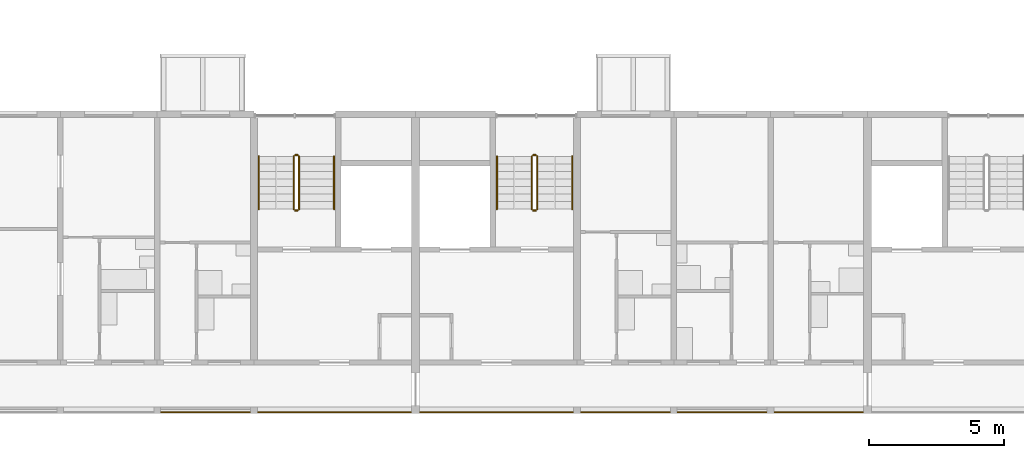
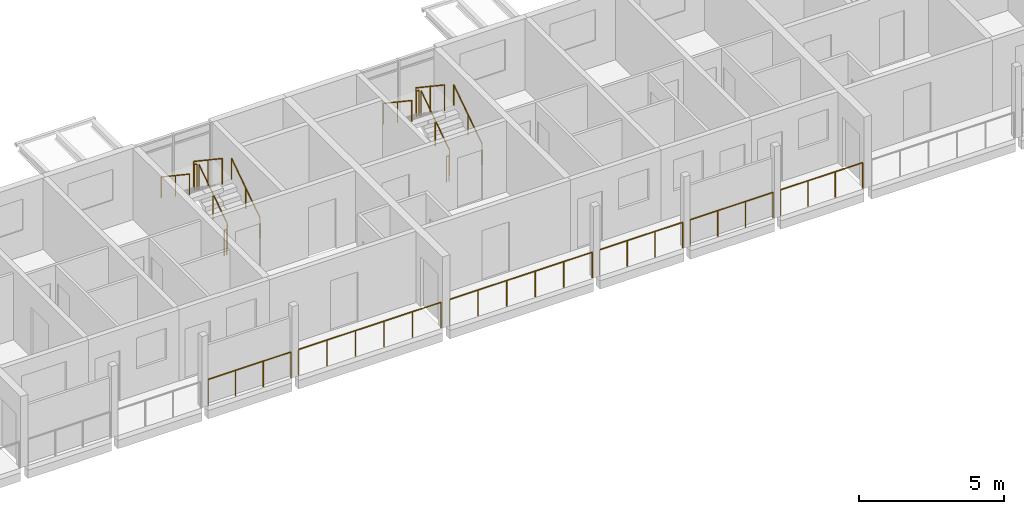
# One storey, part 87 of 94: 18 railings.
"""IFC4 building model written with IfcOpenShell, lengths in metres."""

from ifc_helpers import new_model, si_unit, direction, frame, origin, origin_2d, place, context, subcontext, project, spatial, circle, extrude, material, type_object, element, save


model = new_model("IFC4")

# Units and contexts
model_context = context("Model", 3, precision=1e-05, world=origin(), true_north=direction((0.0, 1.0)))
body_context = subcontext(model_context, "Body", "Model", "MODEL_VIEW")
ifc_project = project(units=[si_unit("LENGTHUNIT", "METRE"), si_unit("AREAUNIT", "SQUARE_METRE"), si_unit("VOLUMEUNIT", "CUBIC_METRE"), si_unit("PLANEANGLEUNIT", "RADIAN"), si_unit("MASSUNIT", "GRAM", prefix="KILO")], contexts=[model_context])

# Site, building, storey
site_placement = place(None, origin())
site = spatial("IfcSite", under=ifc_project, at=site_placement, CompositionType="ELEMENT")
building_placement = place(site_placement, origin())
building = spatial("IfcBuilding", under=site, at=building_placement, Name="Ridgestep Commons", CompositionType="ELEMENT")
storey_placement = place(building_placement, frame((0.0, 0.0, 21.0)))
storey = spatial("IfcBuildingStorey", under=building, at=storey_placement, Name="L07", CompositionType="ELEMENT", Elevation=21.0)

# Railings
ifc_material_1 = material(Name="Structural steel S355JR", Category="steel")
railing_type_1 = type_object("IfcRailingType", Name="Guard 1100", PredefinedType="GUARDRAIL", material=ifc_material_1)
railing_1_placement = place(storey_placement, frame((204.5458984375, 11.800048828125, 0.0)))
element("IfcRailing", 1, at=railing_1_placement, inside=storey, type_object=railing_type_1, Name="Gallery guard D 07.15", PredefinedType="GUARDRAIL", context=body_context, shape_type="SweptSolid", body=[
    extrude(circle(Radius=0.02392578125, at=origin_2d()), frame((0.0, 0.0, 1.076171875), z_axis=(1.0, 0.0, 0.0), x_axis=(0.0, 1.0, 0.0)), (0.0, 0.0, 1.0), 3.30810546875),
    extrude(circle(Radius=0.02099609375, at=origin_2d()), origin(), (0.0, 0.0, 1.0), 1.052001953125),
    extrude(circle(Radius=0.02099609375, at=origin_2d()), frame((1.102783203125, 0.0, 0.0)), (0.0, 0.0, 1.0), 1.052001953125),
    extrude(circle(Radius=0.02099609375, at=origin_2d()), frame((2.205322265625, 0.0, 0.0)), (0.0, 0.0, 1.0), 1.052001953125),
    extrude(circle(Radius=0.02099609375, at=origin_2d()), frame((3.30810546875, 0.0, 0.0)), (0.0, 0.0, 1.0), 1.052001953125),
])
for number, where, name in (
    (2, (208.14599609375, 11.800048828125, 0.0), "Gallery guard D 07.16"),
    (3, (214.1708984375, 11.800048828125, 0.0), "Gallery guard D 07.17"),
):
    element("IfcRailing", number, at=place(storey_placement, frame(where)), inside=storey, type_object=railing_type_1, Name=name, PredefinedType="GUARDRAIL", context=body_context, shape_type="SweptSolid", body=[
        extrude(circle(Radius=0.02392578125, at=origin_2d()), frame((0.0, 0.0, 1.076171875), z_axis=(1.0, 0.0, 0.0), x_axis=(0.0, 1.0, 0.0)), (0.0, 0.0, 1.0), 5.68310546875),
        extrude(circle(Radius=0.02099609375, at=origin_2d()), origin(), (0.0, 0.0, 1.0), 1.052001953125),
        extrude(circle(Radius=0.02099609375, at=origin_2d()), frame((1.13671875, 0.0, 0.0)), (0.0, 0.0, 1.0), 1.052001953125),
        extrude(circle(Radius=0.02099609375, at=origin_2d()), frame((2.273193359375, 0.0, 0.0)), (0.0, 0.0, 1.0), 1.052001953125),
        extrude(circle(Radius=0.02099609375, at=origin_2d()), frame((3.409912109375, 0.0, 0.0)), (0.0, 0.0, 1.0), 1.052001953125),
        extrude(circle(Radius=0.02099609375, at=origin_2d()), frame((4.54638671875, 0.0, 0.0)), (0.0, 0.0, 1.0), 1.052001953125),
        extrude(circle(Radius=0.02099609375, at=origin_2d()), frame((5.68310546875, 0.0, 0.0)), (0.0, 0.0, 1.0), 1.052001953125),
    ])
railing_2_placement = place(storey_placement, frame((220.14599609375, 11.800048828125, 0.0)))
element("IfcRailing", 4, at=railing_2_placement, inside=storey, type_object=railing_type_1, Name="Gallery guard D 07.18", PredefinedType="GUARDRAIL", context=body_context, shape_type="SweptSolid", body=[
    extrude(circle(Radius=0.02392578125, at=origin_2d()), frame((0.0, 0.0, 1.076171875), z_axis=(1.0, 0.0, 0.0), x_axis=(0.0, 1.0, 0.0)), (0.0, 0.0, 1.0), 3.30810546875),
    extrude(circle(Radius=0.02099609375, at=origin_2d()), origin(), (0.0, 0.0, 1.0), 1.052001953125),
    extrude(circle(Radius=0.02099609375, at=origin_2d()), frame((1.102783203125, 0.0, 0.0)), (0.0, 0.0, 1.0), 1.052001953125),
    extrude(circle(Radius=0.02099609375, at=origin_2d()), frame((2.205322265625, 0.0, 0.0)), (0.0, 0.0, 1.0), 1.052001953125),
    extrude(circle(Radius=0.02099609375, at=origin_2d()), frame((3.30810546875, 0.0, 0.0)), (0.0, 0.0, 1.0), 1.052001953125),
])
railing_3_placement = place(storey_placement, frame((223.74609375, 11.800048828125, 0.0)))
element("IfcRailing", 5, at=railing_3_placement, inside=storey, type_object=railing_type_1, Name="Gallery guard D 07.19", PredefinedType="GUARDRAIL", context=body_context, shape_type="SweptSolid", body=[
    extrude(circle(Radius=0.02392578125, at=origin_2d()), frame((0.0, 0.0, 1.076171875), z_axis=(1.0, 0.0, 0.0), x_axis=(0.0, 1.0, 0.0)), (0.0, 0.0, 1.0), 3.307861328125),
    extrude(circle(Radius=0.02099609375, at=origin_2d()), origin(), (0.0, 0.0, 1.0), 1.052001953125),
    extrude(circle(Radius=0.02099609375, at=origin_2d()), frame((1.1025390625, 0.0, 0.0)), (0.0, 0.0, 1.0), 1.052001953125),
    extrude(circle(Radius=0.02099609375, at=origin_2d()), frame((2.205322265625, 0.0, 0.0)), (0.0, 0.0, 1.0), 1.052001953125),
    extrude(circle(Radius=0.02099609375, at=origin_2d()), frame((3.307861328125, 0.0, 0.0)), (0.0, 0.0, 1.0), 1.052001953125),
])
railing_4_placement = place(storey_placement, frame((227.345947265625, 11.800048828125, 0.0)))
element("IfcRailing", 6, at=railing_4_placement, inside=storey, type_object=railing_type_1, Name="Gallery guard D 07.20", PredefinedType="GUARDRAIL", context=body_context, shape_type="SweptSolid", body=[
    extrude(circle(Radius=0.02392578125, at=origin_2d()), frame((0.0, 0.0, 1.076171875), z_axis=(1.0, 0.0, 0.0), x_axis=(0.0, 1.0, 0.0)), (0.0, 0.0, 1.0), 3.282958984375),
    extrude(circle(Radius=0.02099609375, at=origin_2d()), origin(), (0.0, 0.0, 1.0), 1.052001953125),
    extrude(circle(Radius=0.02099609375, at=origin_2d()), frame((1.09423828125, 0.0, 0.0)), (0.0, 0.0, 1.0), 1.052001953125),
    extrude(circle(Radius=0.02099609375, at=origin_2d()), frame((2.188720703125, 0.0, 0.0)), (0.0, 0.0, 1.0), 1.052001953125),
    extrude(circle(Radius=0.02099609375, at=origin_2d()), frame((3.282958984375, 0.0, 0.0)), (0.0, 0.0, 1.0), 1.052001953125),
])
ifc_material_2 = material(Name="Structural steel S355JR", Category="steel")
railing_type_2 = type_object("IfcRailingType", Name="Stair guard 1100", PredefinedType="GUARDRAIL", material=ifc_material_2)
railing_5_placement = place(storey_placement, frame((209.675048828125, 19.35009765625, 0.1875)))
element("IfcRailing", 7, at=railing_5_placement, inside=storey, type_object=railing_type_2, Name="L07 D4C stair guard 1", PredefinedType="GUARDRAIL", context=body_context, shape_type="SweptSolid", body=[
    extrude(circle(Radius=0.02392578125, at=origin_2d()), frame((0.0, 0.0, 1.076171875), z_axis=(0.0, 0.830902050051, 0.556418712142), x_axis=(-1.0, 0.0, 0.0)), (0.0, 0.0, 1.0), 2.35888671875),
    extrude(circle(Radius=0.02099609375, at=origin_2d()), origin(), (0.0, 0.0, 1.0), 1.052001953125),
    extrude(circle(Radius=0.02099609375, at=origin_2d()), frame((0.0, 0.97998046875, 0.65625)), (0.0, 0.0, 1.0), 1.052001953125),
    extrude(circle(Radius=0.02099609375, at=origin_2d()), frame((0.0, 1.9599609375, 1.3125)), (0.0, 0.0, 1.0), 1.052001953125),
])
railing_6_placement = place(storey_placement, frame((209.625, 21.360107421875, 1.5)))
element("IfcRailing", 8, at=railing_6_placement, inside=storey, type_object=railing_type_2, Name="L07 D4C stair guard 2", PredefinedType="GUARDRAIL", context=body_context, shape_type="SweptSolid", body=[
    extrude(circle(Radius=0.02392578125, at=origin_2d()), frame((0.0, 0.0, 1.076171875), z_axis=(-1.0, 0.0, 0.0), x_axis=(0.0, -1.0, 0.0)), (0.0, 0.0, 1.0), 0.10009765625),
    extrude(circle(Radius=0.02099609375, at=origin_2d()), origin(), (0.0, 0.0, 1.0), 1.052001953125),
    extrude(circle(Radius=0.02099609375, at=origin_2d()), frame((-0.10009765625, 0.0, 0.0)), (0.0, 0.0, 1.0), 1.052001953125),
])
railing_7_placement = place(storey_placement, frame((209.47509765625, 21.31005859375, 1.6875)))
element("IfcRailing", 9, at=railing_7_placement, inside=storey, type_object=railing_type_2, Name="L07 D4C stair guard 3", PredefinedType="GUARDRAIL", context=body_context, shape_type="SweptSolid", body=[
    extrude(circle(Radius=0.02392578125, at=origin_2d()), frame((0.0, 0.0, 1.076171875), z_axis=(0.0, -0.830902050051, 0.556418712142), x_axis=(1.0, 0.0, 0.0)), (0.0, 0.0, 1.0), 2.35888671875),
    extrude(circle(Radius=0.02099609375, at=origin_2d()), origin(), (0.0, 0.0, 1.0), 1.052001953125),
    extrude(circle(Radius=0.02099609375, at=origin_2d()), frame((0.0, -0.97998046875, 0.65625)), (0.0, 0.0, 1.0), 1.052001953125),
    extrude(circle(Radius=0.02099609375, at=origin_2d()), frame((0.0, -1.9599609375, 1.3125)), (0.0, 0.0, 1.0), 1.052001953125),
])
railing_8_placement = place(storey_placement, frame((209.625, 19.300048828125, 0.0)))
element("IfcRailing", 10, at=railing_8_placement, inside=storey, type_object=railing_type_2, Name="L07 D4C stair guard 4", PredefinedType="GUARDRAIL", context=body_context, shape_type="SweptSolid", body=[
    extrude(circle(Radius=0.02392578125, at=origin_2d()), frame((0.0, 0.0, 1.076171875), z_axis=(-1.0, 0.0, 0.0), x_axis=(0.0, -1.0, 0.0)), (0.0, 0.0, 1.0), 0.10009765625),
    extrude(circle(Radius=0.02099609375, at=origin_2d()), origin(), (0.0, 0.0, 1.0), 1.052001953125),
    extrude(circle(Radius=0.02099609375, at=origin_2d()), frame((-0.10009765625, 0.0, 0.0)), (0.0, 0.0, 1.0), 1.052001953125),
])
railing_9_placement = place(storey_placement, frame((218.52490234375, 19.35009765625, 0.1875)))
element("IfcRailing", 11, at=railing_9_placement, inside=storey, type_object=railing_type_2, Name="L07 D5C stair guard 1", PredefinedType="GUARDRAIL", context=body_context, shape_type="SweptSolid", body=[
    extrude(circle(Radius=0.02392578125, at=origin_2d()), frame((0.0, 0.0, 1.076171875), z_axis=(0.0, 0.830902050051, 0.556418712142), x_axis=(-1.0, 0.0, 0.0)), (0.0, 0.0, 1.0), 2.35888671875),
    extrude(circle(Radius=0.02099609375, at=origin_2d()), origin(), (0.0, 0.0, 1.0), 1.052001953125),
    extrude(circle(Radius=0.02099609375, at=origin_2d()), frame((0.0, 0.97998046875, 0.65625)), (0.0, 0.0, 1.0), 1.052001953125),
    extrude(circle(Radius=0.02099609375, at=origin_2d()), frame((0.0, 1.9599609375, 1.3125)), (0.0, 0.0, 1.0), 1.052001953125),
])
railing_10_placement = place(storey_placement, frame((218.47509765625, 21.360107421875, 1.5)))
element("IfcRailing", 12, at=railing_10_placement, inside=storey, type_object=railing_type_2, Name="L07 D5C stair guard 2", PredefinedType="GUARDRAIL", context=body_context, shape_type="SweptSolid", body=[
    extrude(circle(Radius=0.02392578125, at=origin_2d()), frame((0.0, 0.0, 1.076171875), z_axis=(-1.0, 0.0, 0.0), x_axis=(0.0, -1.0, 0.0)), (0.0, 0.0, 1.0), 0.10009765625),
    extrude(circle(Radius=0.02099609375, at=origin_2d()), origin(), (0.0, 0.0, 1.0), 1.052001953125),
    extrude(circle(Radius=0.02099609375, at=origin_2d()), frame((-0.10009765625, 0.0, 0.0)), (0.0, 0.0, 1.0), 1.052001953125),
])
railing_11_placement = place(storey_placement, frame((218.324951171875, 21.31005859375, 1.6875)))
element("IfcRailing", 13, at=railing_11_placement, inside=storey, type_object=railing_type_2, Name="L07 D5C stair guard 3", PredefinedType="GUARDRAIL", context=body_context, shape_type="SweptSolid", body=[
    extrude(circle(Radius=0.02392578125, at=origin_2d()), frame((0.0, 0.0, 1.076171875), z_axis=(0.0, -0.830902050051, 0.556418712142), x_axis=(1.0, 0.0, 0.0)), (0.0, 0.0, 1.0), 2.35888671875),
    extrude(circle(Radius=0.02099609375, at=origin_2d()), origin(), (0.0, 0.0, 1.0), 1.052001953125),
    extrude(circle(Radius=0.02099609375, at=origin_2d()), frame((0.0, -0.97998046875, 0.65625)), (0.0, 0.0, 1.0), 1.052001953125),
    extrude(circle(Radius=0.02099609375, at=origin_2d()), frame((0.0, -1.9599609375, 1.3125)), (0.0, 0.0, 1.0), 1.052001953125),
])
railing_12_placement = place(storey_placement, frame((218.47509765625, 19.300048828125, 0.0)))
element("IfcRailing", 14, at=railing_12_placement, inside=storey, type_object=railing_type_2, Name="L07 D5C stair guard 4", PredefinedType="GUARDRAIL", context=body_context, shape_type="SweptSolid", body=[
    extrude(circle(Radius=0.02392578125, at=origin_2d()), frame((0.0, 0.0, 1.076171875), z_axis=(-1.0, 0.0, 0.0), x_axis=(0.0, -1.0, 0.0)), (0.0, 0.0, 1.0), 0.10009765625),
    extrude(circle(Radius=0.02099609375, at=origin_2d()), origin(), (0.0, 0.0, 1.0), 1.052001953125),
    extrude(circle(Radius=0.02099609375, at=origin_2d()), frame((-0.10009765625, 0.0, 0.0)), (0.0, 0.0, 1.0), 1.052001953125),
])
ifc_material_3 = material(Name="Structural steel S355JR", Category="steel")
railing_type_3 = type_object("IfcRailingType", Name="Stair handrail 900", PredefinedType="HANDRAIL", material=ifc_material_3)
railing_13_placement = place(storey_placement, frame((210.97509765625, 19.35009765625, 0.1875)))
element("IfcRailing", 15, at=railing_13_placement, inside=storey, type_object=railing_type_3, Name="L07 D4C stair handrail 1", PredefinedType="HANDRAIL", context=body_context, shape_type="SweptSolid", body=[
    extrude(circle(Radius=0.02392578125, at=origin_2d()), frame((0.0, 0.0, 0.8759765625), z_axis=(0.0, 0.830902050051, 0.556418712142), x_axis=(-1.0, 0.0, 0.0)), (0.0, 0.0, 1.0), 2.35888671875),
    extrude(circle(Radius=0.02099609375, at=origin_2d()), origin(), (0.0, 0.0, 1.0), 0.851806640625),
    extrude(circle(Radius=0.02099609375, at=origin_2d()), frame((0.0, 0.97998046875, 0.65625)), (0.0, 0.0, 1.0), 0.851806640625),
    extrude(circle(Radius=0.02099609375, at=origin_2d()), frame((0.0, 1.9599609375, 1.3125)), (0.0, 0.0, 1.0), 0.851806640625),
])
railing_14_placement = place(storey_placement, frame((208.175048828125, 21.31005859375, 1.6875)))
element("IfcRailing", 16, at=railing_14_placement, inside=storey, type_object=railing_type_3, Name="L07 D4C stair handrail 2", PredefinedType="HANDRAIL", context=body_context, shape_type="SweptSolid", body=[
    extrude(circle(Radius=0.02392578125, at=origin_2d()), frame((0.0, 0.0, 0.8759765625), z_axis=(0.0, -0.830902050051, 0.556418712142), x_axis=(1.0, 0.0, 0.0)), (0.0, 0.0, 1.0), 2.35888671875),
    extrude(circle(Radius=0.02099609375, at=origin_2d()), origin(), (0.0, 0.0, 1.0), 0.851806640625),
    extrude(circle(Radius=0.02099609375, at=origin_2d()), frame((0.0, -0.97998046875, 0.65625)), (0.0, 0.0, 1.0), 0.851806640625),
    extrude(circle(Radius=0.02099609375, at=origin_2d()), frame((0.0, -1.9599609375, 1.3125)), (0.0, 0.0, 1.0), 0.851806640625),
])
railing_15_placement = place(storey_placement, frame((219.824951171875, 19.35009765625, 0.1875)))
element("IfcRailing", 17, at=railing_15_placement, inside=storey, type_object=railing_type_3, Name="L07 D5C stair handrail 1", PredefinedType="HANDRAIL", context=body_context, shape_type="SweptSolid", body=[
    extrude(circle(Radius=0.02392578125, at=origin_2d()), frame((0.0, 0.0, 0.8759765625), z_axis=(0.0, 0.830902050051, 0.556418712142), x_axis=(-1.0, 0.0, 0.0)), (0.0, 0.0, 1.0), 2.35888671875),
    extrude(circle(Radius=0.02099609375, at=origin_2d()), origin(), (0.0, 0.0, 1.0), 0.851806640625),
    extrude(circle(Radius=0.02099609375, at=origin_2d()), frame((0.0, 0.97998046875, 0.65625)), (0.0, 0.0, 1.0), 0.851806640625),
    extrude(circle(Radius=0.02099609375, at=origin_2d()), frame((0.0, 1.9599609375, 1.3125)), (0.0, 0.0, 1.0), 0.851806640625),
])
railing_16_placement = place(storey_placement, frame((217.02490234375, 21.31005859375, 1.6875)))
element("IfcRailing", 18, at=railing_16_placement, inside=storey, type_object=railing_type_3, Name="L07 D5C stair handrail 2", PredefinedType="HANDRAIL", context=body_context, shape_type="SweptSolid", body=[
    extrude(circle(Radius=0.02392578125, at=origin_2d()), frame((0.0, 0.0, 0.8759765625), z_axis=(0.0, -0.830902050051, 0.556418712142), x_axis=(1.0, 0.0, 0.0)), (0.0, 0.0, 1.0), 2.35888671875),
    extrude(circle(Radius=0.02099609375, at=origin_2d()), origin(), (0.0, 0.0, 1.0), 0.851806640625),
    extrude(circle(Radius=0.02099609375, at=origin_2d()), frame((0.0, -0.97998046875, 0.65625)), (0.0, 0.0, 1.0), 0.851806640625),
    extrude(circle(Radius=0.02099609375, at=origin_2d()), frame((0.0, -1.9599609375, 1.3125)), (0.0, 0.0, 1.0), 0.851806640625),
])

save(model, "model.ifc")
